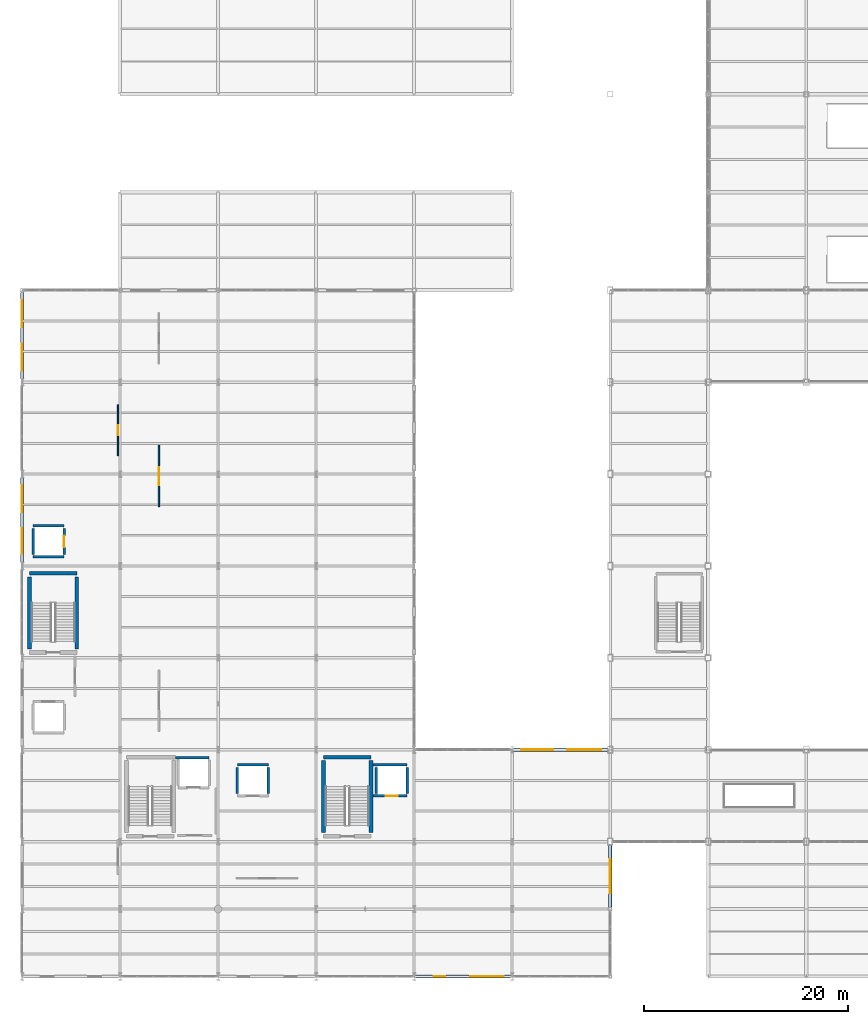
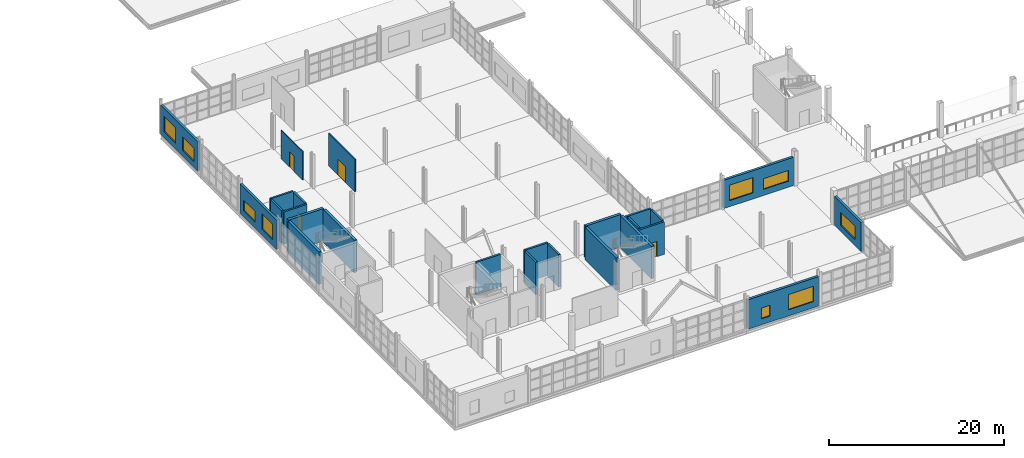
# One storey, part 107 of 120: 25 walls, 9 windows, 4 doors, 13 openings.
"""IFC4 building model written with IfcOpenShell, lengths in metres."""

from ifc_helpers import new_model, si_unit, direction, frame, frame_2d, origin, place, context, subcontext, project, spatial, rectangle, extrude, material, layer, layer_set, type_object, element, fill, save


model = new_model("IFC4")

# Units and contexts
model_context = context("Model", 3, precision=1e-05, world=origin(), true_north=direction((0.0, 1.0)))
body_context = subcontext(model_context, "Body", "Model", "MODEL_VIEW")
ifc_project = project(units=[si_unit("LENGTHUNIT", "METRE"), si_unit("AREAUNIT", "SQUARE_METRE"), si_unit("VOLUMEUNIT", "CUBIC_METRE"), si_unit("PLANEANGLEUNIT", "RADIAN"), si_unit("MASSUNIT", "GRAM", prefix="KILO")], contexts=[model_context])

# Site, building, storey
site_placement = place(None, origin())
site = spatial("IfcSite", under=ifc_project, at=site_placement, CompositionType="ELEMENT")
building_placement = place(site_placement, origin())
building = spatial("IfcBuilding", under=site, at=building_placement, Name="Zarnetskaya Central Station", CompositionType="ELEMENT")
storey_placement = place(building_placement, frame((0.0, 0.0, 5.39990234375)))
storey = spatial("IfcBuildingStorey", under=building, at=storey_placement, Name="L01", CompositionType="ELEMENT", Elevation=5.39990234375)

# Wall, opening, door
ifc_material_1 = material(Name="Gypsum acoustic partition")
ifc_layer_1 = layer(ifc_material_1, 0.1298828125, Name="Gypsum acoustic partition")
ifc_layer_set_1 = layer_set([ifc_layer_1], Name="Gypsum acoustic partition")
wall_type_1 = type_object("IfcWallType", Name="PART-OFF-130", PredefinedType="PARTITIONING", material=ifc_layer_set_1)
wall_1_placement = place(storey_placement, frame((13.39990234375, 46.0, 0.0), z_axis=(0.0, 0.0, 1.0), x_axis=(0.0, 1.0, 0.0)))
wall_1 = element("IfcWall", 1, at=wall_1_placement, inside=storey, type_object=wall_type_1, Name="Interior partition IPRT-L01-0415", PredefinedType="PARTITIONING", context=body_context, shape_type="SweptSolid", body=[
    extrude(rectangle(XDim=6.0, YDim=0.1298828125, at=frame_2d((3.0, 0.0))), origin(), (0.0, 0.0, 1.0), 4.5400390625),
])
opening_1_placement = place(wall_1_placement, frame((2.110107421875, 0.0, 0.0)))
opening_1 = element("IfcOpeningElement", 2, at=opening_1_placement, cuts=wall_1, Name="Opening DR-21", PredefinedType="OPENING", context=body_context, shape_type="SweptSolid", body=[
    extrude(rectangle(XDim=1.780029296875, YDim=2.239990234375, at=frame_2d((0.89013671875, 1.1201171875))), frame((0.0, 0.074951171875, 0.0), z_axis=(0.0, -1.0, 0.0), x_axis=(1.0, 0.0, 0.0)), (0.0, 0.0, 1.0), 0.14990234375),
])
ifc_material_2 = material(Name="Anodised aluminium", Category="aluminium")
door_type_1 = type_object("IfcDoorType", Name="DR-INT-18", OperationType="NOTDEFINED", PredefinedType="DOOR", material=ifc_material_2)
door_1_placement = place(opening_1_placement, origin())
door_1 = element("IfcDoor", 3, at=door_1_placement, inside=storey, type_object=door_type_1, Name="Passenger Assistance and Duty Supervisor Offices door", OperationType="SINGLE_SWING_LEFT", OverallHeight=2.239990234375, OverallWidth=1.780029296875, PredefinedType="DOOR", context=body_context, shape_type="SweptSolid", body=[
    extrude(rectangle(XDim=1.780029296875, YDim=2.239990234375, at=frame_2d((0.89013671875, 1.1201171875))), frame((0.0, 0.02490234375, 0.0), z_axis=(0.0, -1.0, 0.0), x_axis=(1.0, 0.0, 0.0)), (0.0, 0.0, 1.0), 0.050048828125),
])
fill(opening_1, door_1)

ifc_material_3 = material(Name="Gypsum moisture partition")
ifc_layer_2 = layer(ifc_material_3, 0.114990234375, Name="Gypsum moisture partition")
ifc_layer_set_2 = layer_set([ifc_layer_2], Name="Gypsum moisture partition")
wall_type_2 = type_object("IfcWallType", Name="PART-WC-115", PredefinedType="PARTITIONING", material=ifc_layer_set_2)
wall_2_placement = place(storey_placement, frame((9.39990234375, 56.0, 0.0), z_axis=(0.0, 0.0, 1.0), x_axis=(0.0, -1.0, 0.0)))
wall_2 = element("IfcWall", 4, at=wall_2_placement, inside=storey, type_object=wall_type_2, Name="Interior partition IPRT-L01-0417", PredefinedType="PARTITIONING", context=body_context, shape_type="SweptSolid", body=[
    extrude(rectangle(XDim=5.0, YDim=0.114990234375, at=frame_2d((2.5, 0.0))), origin(), (0.0, 0.0, 1.0), 3.960205078125),
])
opening_2_placement = place(wall_2_placement, frame((2.014892578125, 0.0, 0.0)))
opening_2 = element("IfcOpeningElement", 5, at=opening_2_placement, cuts=wall_2, Name="Opening DR-01", PredefinedType="OPENING", context=body_context, shape_type="SweptSolid", body=[
    extrude(rectangle(XDim=0.969970703125, YDim=2.1201171875, at=frame_2d((0.48486328125, 1.06005859375))), frame((0.0, 0.0673828125, 0.0), z_axis=(0.0, -1.0, 0.0), x_axis=(1.0, 0.0, 0.0)), (0.0, 0.0, 1.0), 0.135009765625),
])
door_type_2 = type_object("IfcDoorType", Name="DR-INT-20", OperationType="NOTDEFINED", PredefinedType="DOOR", material=ifc_material_2)
door_2_placement = place(opening_2_placement, origin())
door_2 = element("IfcDoor", 6, at=door_2_placement, inside=storey, type_object=door_type_2, Name="Accessible WC L01 door", OperationType="SINGLE_SWING_LEFT", OverallHeight=2.1201171875, OverallWidth=0.969970703125, PredefinedType="DOOR", context=body_context, shape_type="SweptSolid", body=[
    extrude(rectangle(XDim=0.969970703125, YDim=2.1201171875, at=frame_2d((0.48486328125, 1.06005859375))), frame((0.0, 0.02490234375, 0.0), z_axis=(0.0, -1.0, 0.0), x_axis=(1.0, 0.0, 0.0)), (0.0, 0.0, 1.0), 0.050048828125),
])
fill(opening_2, door_2)

# Walls
ifc_material_4 = material(Name="Concrete C35/45", Category="concrete")
ifc_layer_3 = layer(ifc_material_4, 0.35009765625, Name="Concrete C35/45", Category="concrete")
ifc_layer_set_3 = layer_set([ifc_layer_3], Name="Concrete C35/45")
wall_type_3 = type_object("IfcWallType", Name="WALL-CORE-350", PredefinedType="SHEAR", material=ifc_layer_set_3)
wall_3_placement = place(storey_placement, frame((0.72509765625, 39.47509765625, 0.0), z_axis=(0.0, 0.0, 1.0), x_axis=(1.0, 0.0, 0.0)))
element("IfcWall", 7, at=wall_3_placement, inside=storey, type_object=wall_type_3, Name="Core shear wall WSTR-L01-0226", PredefinedType="SHEAR", context=body_context, shape_type="SweptSolid", body=[
    extrude(rectangle(XDim=4.64990234375, YDim=0.35009765625, at=frame_2d((2.324951171875, 0.0))), origin(), (0.0, 0.0, 1.0), 4.5400390625),
])
for number, where, z_axis, x_axis, name in (
    (8, (0.72509765625, 32.074951171875, 0.0), (0.0, 0.0, 1.0), (0.0, 1.0, 0.0), "Core shear wall WSTR-L01-0227"),
    (9, (5.375, 39.125, 0.0), (0.0, 0.0, 1.0), (0.0, -1.0, 0.0), "Core shear wall WSTR-L01-0228"),
):
    element("IfcWall", number, at=place(storey_placement, frame(where, z_axis=z_axis, x_axis=x_axis)), inside=storey, type_object=wall_type_3, Name=name, PredefinedType="SHEAR", context=body_context, shape_type="SweptSolid", body=[
        extrude(rectangle(XDim=7.050048828125, YDim=0.35009765625, at=frame_2d((3.52490234375, 0.0))), origin(), (0.0, 0.0, 1.0), 4.5400390625),
    ])
wall_4_placement = place(storey_placement, frame((29.52490234375, 21.47509765625, 0.0), z_axis=(0.0, 0.0, 1.0), x_axis=(1.0, 0.0, 0.0)))
element("IfcWall", 10, at=wall_4_placement, inside=storey, type_object=wall_type_3, Name="Core shear wall WSTR-L01-0254", PredefinedType="SHEAR", context=body_context, shape_type="SweptSolid", body=[
    extrude(rectangle(XDim=4.650146484375, YDim=0.35009765625, at=frame_2d((2.3251953125, 0.0))), origin(), (0.0, 0.0, 1.0), 4.5400390625),
])
for number, where, z_axis, x_axis, name in (
    (11, (29.52490234375, 14.074951171875, 0.0), (0.0, 0.0, 1.0), (0.0, 1.0, 0.0), "Core shear wall WSTR-L01-0255"),
    (12, (34.175048828125, 21.125, 0.0), (0.0, 0.0, 1.0), (0.0, -1.0, 0.0), "Core shear wall WSTR-L01-0256"),
):
    element("IfcWall", number, at=place(storey_placement, frame(where, z_axis=z_axis, x_axis=x_axis)), inside=storey, type_object=wall_type_3, Name=name, PredefinedType="SHEAR", context=body_context, shape_type="SweptSolid", body=[
        extrude(rectangle(XDim=7.050048828125, YDim=0.35009765625, at=frame_2d((3.52490234375, 0.0))), origin(), (0.0, 0.0, 1.0), 4.5400390625),
    ])

# Wall, openings, windows
ifc_material_5 = material(Name="Precast concrete C40/50", Category="concrete")
ifc_layer_4 = layer(ifc_material_5, 0.320068359375, Name="Precast concrete C40/50", Category="concrete")
ifc_layer_set_4 = layer_set([ifc_layer_4], Name="Precast concrete C40/50")
wall_type_4 = type_object("IfcWallType", Name="WALL-EXT-320", PredefinedType="SOLIDWALL", material=ifc_layer_set_4)
wall_5_placement = place(storey_placement, frame((0.0, 40.550048828125, 0.0), z_axis=(0.0, 0.0, 1.0), x_axis=(0.0, 1.0, 0.0)))
wall_5 = element("IfcWall", 13, at=wall_5_placement, inside=storey, type_object=wall_type_4, Name="Exterior precast wall EW-L01-0-406-0-488", PredefinedType="SOLIDWALL", context=body_context, shape_type="SweptSolid", body=[
    extrude(rectangle(XDim=8.300048828125, YDim=0.320068359375, at=frame_2d((4.14990234375, 0.0))), origin(), (0.0, 0.0, 1.0), 4.110107421875),
])
opening_3_placement = place(wall_5_placement, frame((0.824951171875, 0.0, 0.85009765625)))
opening_3 = element("IfcOpeningElement", 14, at=opening_3_placement, cuts=wall_5, Name="Opening WN-46", PredefinedType="OPENING", context=body_context, shape_type="SweptSolid", body=[
    extrude(rectangle(XDim=2.5, YDim=2.14990234375, at=frame_2d((1.25, 1.074951171875))), frame((0.0, 0.169921875, 0.0), z_axis=(0.0, -1.0, 0.0), x_axis=(1.0, 0.0, 0.0)), (0.0, 0.0, 1.0), 0.340087890625),
])
opening_4_placement = place(wall_5_placement, frame((4.89990234375, 0.0, 0.85009765625)))
opening_4 = element("IfcOpeningElement", 15, at=opening_4_placement, cuts=wall_5, Name="Opening WN-43", PredefinedType="OPENING", context=body_context, shape_type="SweptSolid", body=[
    extrude(rectangle(XDim=2.64990234375, YDim=1.5, at=frame_2d((1.324951171875, 0.75))), frame((0.0, 0.169921875, 0.0), z_axis=(0.0, -1.0, 0.0), x_axis=(1.0, 0.0, 0.0)), (0.0, 0.0, 1.0), 0.340087890625),
])
ifc_material_6 = material(Name="Low-E insulated glass", Category="glass")
window_type_1 = type_object("IfcWindowType", Name="WIN-39", PartitioningType="DOUBLE_PANEL_VERTICAL", PredefinedType="WINDOW", material=ifc_material_6)
window_1_placement = place(opening_3_placement, origin())
window_1 = element("IfcWindow", 16, at=window_1_placement, inside=storey, type_object=window_type_1, Name="Facade window L01-0039", OverallHeight=2.14990234375, OverallWidth=2.5, PartitioningType="SINGLE_PANEL", PredefinedType="WINDOW", context=body_context, shape_type="SweptSolid", body=[
    extrude(rectangle(XDim=2.5, YDim=2.14990234375, at=frame_2d((1.25, 1.074951171875))), frame((0.0, 0.030029296875, 0.0), z_axis=(0.0, -1.0, 0.0), x_axis=(1.0, 0.0, 0.0)), (0.0, 0.0, 1.0), 0.06005859375),
])
fill(opening_3, window_1)
window_type_2 = type_object("IfcWindowType", Name="WIN-40", PartitioningType="DOUBLE_PANEL_VERTICAL", PredefinedType="WINDOW", material=ifc_material_6)
window_2_placement = place(opening_4_placement, origin())
window_2 = element("IfcWindow", 17, at=window_2_placement, inside=storey, type_object=window_type_2, Name="Facade window L01-0040", OverallHeight=1.5, OverallWidth=2.64990234375, PartitioningType="SINGLE_PANEL", PredefinedType="WINDOW", context=body_context, shape_type="SweptSolid", body=[
    extrude(rectangle(XDim=2.64990234375, YDim=1.5, at=frame_2d((1.324951171875, 0.75))), frame((0.0, 0.030029296875, 0.0), z_axis=(0.0, -1.0, 0.0), x_axis=(1.0, 0.0, 0.0)), (0.0, 0.0, 1.0), 0.06005859375),
])
fill(opening_4, window_2)

wall_6_placement = place(storey_placement, frame((0.0, 58.550048828125, 0.0), z_axis=(0.0, 0.0, 1.0), x_axis=(0.0, 1.0, 0.0)))
wall_6 = element("IfcWall", 18, at=wall_6_placement, inside=storey, type_object=wall_type_4, Name="Exterior precast wall EW-L01-0-586-0-670", PredefinedType="SOLIDWALL", context=body_context, shape_type="SweptSolid", body=[
    extrude(rectangle(XDim=8.44677734375, YDim=0.320068359375, at=frame_2d((4.223388671875, 0.0))), origin(), (0.0, 0.0, 1.0), 4.110107421875),
])
opening_5_placement = place(wall_6_placement, frame((0.78662109375, 0.0, 0.85009765625)))
opening_5 = element("IfcOpeningElement", 19, at=opening_5_placement, cuts=wall_6, Name="Opening WN-45", PredefinedType="OPENING", context=body_context, shape_type="SweptSolid", body=[
    extrude(rectangle(XDim=2.64990234375, YDim=1.85009765625, at=frame_2d((1.324951171875, 0.925048828125))), frame((0.0, 0.169921875, 0.0), z_axis=(0.0, -1.0, 0.0), x_axis=(1.0, 0.0, 0.0)), (0.0, 0.0, 1.0), 0.340087890625),
])
opening_6_placement = place(wall_6_placement, frame((5.010009765625, 0.0, 0.85009765625)))
opening_6 = element("IfcOpeningElement", 20, at=opening_6_placement, cuts=wall_6, Name="Opening WN-32", PredefinedType="OPENING", context=body_context, shape_type="SweptSolid", body=[
    extrude(rectangle(XDim=2.64990234375, YDim=2.14990234375, at=frame_2d((1.324951171875, 1.074951171875))), frame((0.0, 0.169921875, 0.0), z_axis=(0.0, -1.0, 0.0), x_axis=(1.0, 0.0, 0.0)), (0.0, 0.0, 1.0), 0.340087890625),
])
window_type_3 = type_object("IfcWindowType", Name="WIN-41", PartitioningType="DOUBLE_PANEL_VERTICAL", PredefinedType="WINDOW", material=ifc_material_6)
window_3_placement = place(opening_5_placement, origin())
window_3 = element("IfcWindow", 21, at=window_3_placement, inside=storey, type_object=window_type_3, Name="Facade window L01-0041", OverallHeight=1.85009765625, OverallWidth=2.64990234375, PartitioningType="SINGLE_PANEL", PredefinedType="WINDOW", context=body_context, shape_type="SweptSolid", body=[
    extrude(rectangle(XDim=2.64990234375, YDim=1.85009765625, at=frame_2d((1.324951171875, 0.925048828125))), frame((0.0, 0.030029296875, 0.0), z_axis=(0.0, -1.0, 0.0), x_axis=(1.0, 0.0, 0.0)), (0.0, 0.0, 1.0), 0.06005859375),
])
fill(opening_5, window_3)
window_type_4 = type_object("IfcWindowType", Name="WIN-42", PartitioningType="DOUBLE_PANEL_VERTICAL", PredefinedType="WINDOW", material=ifc_material_6)
window_4_placement = place(opening_6_placement, origin())
window_4 = element("IfcWindow", 22, at=window_4_placement, inside=storey, type_object=window_type_4, Name="Facade window L01-0042", OverallHeight=2.14990234375, OverallWidth=2.64990234375, PartitioningType="SINGLE_PANEL", PredefinedType="WINDOW", context=body_context, shape_type="SweptSolid", body=[
    extrude(rectangle(XDim=2.64990234375, YDim=2.14990234375, at=frame_2d((1.324951171875, 1.074951171875))), frame((0.0, 0.030029296875, 0.0), z_axis=(0.0, -1.0, 0.0), x_axis=(1.0, 0.0, 0.0)), (0.0, 0.0, 1.0), 0.06005859375),
])
fill(opening_6, window_4)

wall_7_placement = place(storey_placement, frame((48.14990234375, 22.199951171875, 0.0), z_axis=(0.0, 0.0, 1.0), x_axis=(1.0, 0.0, 0.0)))
wall_7 = element("IfcWall", 23, at=wall_7_placement, inside=storey, type_object=wall_type_4, Name="Exterior precast wall EW-L01-482-222-574-222", PredefinedType="SOLIDWALL", context=body_context, shape_type="SweptSolid", body=[
    extrude(rectangle(XDim=9.2001953125, YDim=0.320068359375, at=frame_2d((4.60009765625, 0.0))), origin(), (0.0, 0.0, 1.0), 3.9501953125),
])
opening_7_placement = place(wall_7_placement, frame((0.75, 0.0, 0.85009765625)))
opening_7 = element("IfcOpeningElement", 24, at=opening_7_placement, cuts=wall_7, Name="Opening WN-50", PredefinedType="OPENING", context=body_context, shape_type="SweptSolid", body=[
    extrude(rectangle(XDim=3.10009765625, YDim=2.14990234375, at=frame_2d((1.550048828125, 1.074951171875))), frame((0.0, 0.169921875, 0.0), z_axis=(0.0, -1.0, 0.0), x_axis=(1.0, 0.0, 0.0)), (0.0, 0.0, 1.0), 0.340087890625),
])
opening_8_placement = place(wall_7_placement, frame((5.25, 0.0, 0.85009765625)))
opening_8 = element("IfcOpeningElement", 25, at=opening_8_placement, cuts=wall_7, Name="Opening WN-38", PredefinedType="OPENING", context=body_context, shape_type="SweptSolid", body=[
    extrude(rectangle(XDim=3.300048828125, YDim=1.5, at=frame_2d((1.64990234375, 0.75))), frame((0.0, 0.169921875, 0.0), z_axis=(0.0, -1.0, 0.0), x_axis=(1.0, 0.0, 0.0)), (0.0, 0.0, 1.0), 0.340087890625),
])
window_type_5 = type_object("IfcWindowType", Name="WIN-51", PartitioningType="DOUBLE_PANEL_VERTICAL", PredefinedType="WINDOW", material=ifc_material_6)
window_5_placement = place(opening_7_placement, origin())
window_5 = element("IfcWindow", 26, at=window_5_placement, inside=storey, type_object=window_type_5, Name="Facade window L01-0051", OverallHeight=2.14990234375, OverallWidth=3.10009765625, PartitioningType="SINGLE_PANEL", PredefinedType="WINDOW", context=body_context, shape_type="SweptSolid", body=[
    extrude(rectangle(XDim=3.10009765625, YDim=2.14990234375, at=frame_2d((1.550048828125, 1.074951171875))), frame((0.0, 0.030029296875, 0.0), z_axis=(0.0, -1.0, 0.0), x_axis=(1.0, 0.0, 0.0)), (0.0, 0.0, 1.0), 0.06005859375),
])
fill(opening_7, window_5)
window_type_6 = type_object("IfcWindowType", Name="WIN-52", PartitioningType="DOUBLE_PANEL_VERTICAL", PredefinedType="WINDOW", material=ifc_material_6)
window_6_placement = place(opening_8_placement, origin())
window_6 = element("IfcWindow", 27, at=window_6_placement, inside=storey, type_object=window_type_6, Name="Facade window L01-0052", OverallHeight=1.5, OverallWidth=3.300048828125, PartitioningType="SINGLE_PANEL", PredefinedType="WINDOW", context=body_context, shape_type="SweptSolid", body=[
    extrude(rectangle(XDim=3.300048828125, YDim=1.5, at=frame_2d((1.64990234375, 0.75))), frame((0.0, 0.030029296875, 0.0), z_axis=(0.0, -1.0, 0.0), x_axis=(1.0, 0.0, 0.0)), (0.0, 0.0, 1.0), 0.06005859375),
])
fill(opening_8, window_6)

# Wall, opening, window
wall_8_placement = place(storey_placement, frame((57.60009765625, 12.85009765625, 0.0), z_axis=(0.0, 0.0, 1.0), x_axis=(0.0, -1.0, 0.0)))
wall_8 = element("IfcWall", 28, at=wall_8_placement, inside=storey, type_object=wall_type_4, Name="Exterior precast wall EW-L01-576-128-576-68", PredefinedType="SOLIDWALL", context=body_context, shape_type="SweptSolid", body=[
    extrude(rectangle(XDim=6.072265625, YDim=0.320068359375, at=frame_2d((3.0361328125, 0.0))), origin(), (0.0, 0.0, 1.0), 4.050048828125),
])
opening_9_placement = place(wall_8_placement, frame((1.385986328125, 0.0, 0.85009765625)))
opening_9 = element("IfcOpeningElement", 29, at=opening_9_placement, cuts=wall_8, Name="Opening WN-29", PredefinedType="OPENING", context=body_context, shape_type="SweptSolid", body=[
    extrude(rectangle(XDim=3.300048828125, YDim=1.85009765625, at=frame_2d((1.64990234375, 0.925048828125))), frame((0.0, 0.169921875, 0.0), z_axis=(0.0, -1.0, 0.0), x_axis=(1.0, 0.0, 0.0)), (0.0, 0.0, 1.0), 0.340087890625),
])
window_type_7 = type_object("IfcWindowType", Name="WIN-53", PartitioningType="DOUBLE_PANEL_VERTICAL", PredefinedType="WINDOW", material=ifc_material_6)
window_7_placement = place(opening_9_placement, origin())
window_7 = element("IfcWindow", 30, at=window_7_placement, inside=storey, type_object=window_type_7, Name="Facade window L01-0053", OverallHeight=1.85009765625, OverallWidth=3.300048828125, PartitioningType="SINGLE_PANEL", PredefinedType="WINDOW", context=body_context, shape_type="SweptSolid", body=[
    extrude(rectangle(XDim=3.300048828125, YDim=1.85009765625, at=frame_2d((1.64990234375, 0.925048828125))), frame((0.0, 0.030029296875, 0.0), z_axis=(0.0, -1.0, 0.0), x_axis=(1.0, 0.0, 0.0)), (0.0, 0.0, 1.0), 0.06005859375),
])
fill(opening_9, window_7)

# Wall, openings, windows
wall_9_placement = place(storey_placement, frame((47.85009765625, 0.0, 0.0), z_axis=(0.0, 0.0, 1.0), x_axis=(-1.0, 0.0, 0.0)))
wall_9 = element("IfcWall", 31, at=wall_9_placement, inside=storey, type_object=wall_type_4, Name="Exterior precast wall EW-L01-478-0-386-0", PredefinedType="SOLIDWALL", context=body_context, shape_type="SweptSolid", body=[
    extrude(rectangle(XDim=9.300048828125, YDim=0.320068359375, at=frame_2d((4.64990234375, 0.0))), origin(), (0.0, 0.0, 1.0), 4.110107421875),
])
opening_10_placement = place(wall_9_placement, frame((0.675048828125, 0.0, 0.85009765625)))
opening_10 = element("IfcOpeningElement", 32, at=opening_10_placement, cuts=wall_9, Name="Opening WN-24", PredefinedType="OPENING", context=body_context, shape_type="SweptSolid", body=[
    extrude(rectangle(XDim=3.300048828125, YDim=2.14990234375, at=frame_2d((1.64990234375, 1.074951171875))), frame((0.0, 0.169921875, 0.0), z_axis=(0.0, -1.0, 0.0), x_axis=(1.0, 0.0, 0.0)), (0.0, 0.0, 1.0), 0.340087890625),
])
opening_11_placement = place(wall_9_placement, frame((6.39990234375, 0.0, 0.85009765625)))
opening_11 = element("IfcOpeningElement", 33, at=opening_11_placement, cuts=wall_9, Name="Opening WN-41", PredefinedType="OPENING", context=body_context, shape_type="SweptSolid", body=[
    extrude(rectangle(XDim=1.14990234375, YDim=1.5, at=frame_2d((0.574951171875, 0.75))), frame((0.0, 0.169921875, 0.0), z_axis=(0.0, -1.0, 0.0), x_axis=(1.0, 0.0, 0.0)), (0.0, 0.0, 1.0), 0.340087890625),
])
window_type_8 = type_object("IfcWindowType", Name="WIN-01", PartitioningType="SINGLE_PANEL", PredefinedType="WINDOW", material=ifc_material_6)
window_8_placement = place(opening_11_placement, origin())
window_8 = element("IfcWindow", 34, at=window_8_placement, inside=storey, type_object=window_type_8, Name="Facade window L01-0055", OverallHeight=1.5, OverallWidth=1.14990234375, PartitioningType="SINGLE_PANEL", PredefinedType="WINDOW", context=body_context, shape_type="SweptSolid", body=[
    extrude(rectangle(XDim=1.14990234375, YDim=1.5, at=frame_2d((0.574951171875, 0.75))), frame((0.0, 0.030029296875, 0.0), z_axis=(0.0, -1.0, 0.0), x_axis=(1.0, 0.0, 0.0)), (0.0, 0.0, 1.0), 0.06005859375),
])
fill(opening_11, window_8)
window_type_9 = type_object("IfcWindowType", Name="WIN-54", PartitioningType="DOUBLE_PANEL_VERTICAL", PredefinedType="WINDOW", material=ifc_material_6)
window_9_placement = place(opening_10_placement, origin())
window_9 = element("IfcWindow", 35, at=window_9_placement, inside=storey, type_object=window_type_9, Name="Facade window L01-0054", OverallHeight=2.14990234375, OverallWidth=3.300048828125, PartitioningType="SINGLE_PANEL", PredefinedType="WINDOW", context=body_context, shape_type="SweptSolid", body=[
    extrude(rectangle(XDim=3.300048828125, YDim=2.14990234375, at=frame_2d((1.64990234375, 1.074951171875))), frame((0.0, 0.030029296875, 0.0), z_axis=(0.0, -1.0, 0.0), x_axis=(1.0, 0.0, 0.0)), (0.0, 0.0, 1.0), 0.06005859375),
])
fill(opening_10, window_9)

# Walls
ifc_layer_5 = layer(ifc_material_4, 0.239990234375, Name="Concrete C35/45", Category="concrete")
ifc_layer_set_5 = layer_set([ifc_layer_5], Name="Concrete C35/45")
wall_type_5 = type_object("IfcWallType", Name="WALL-SHFT-240", PredefinedType="SHEAR", material=ifc_layer_set_5)
wall_10_placement = place(storey_placement, frame((15.050048828125, 21.419921875, 0.0), z_axis=(0.0, 0.0, 1.0), x_axis=(1.0, 0.0, 0.0)))
element("IfcWall", 36, at=wall_10_placement, inside=storey, type_object=wall_type_5, Name="Core shear wall WSHF-L01-0010", PredefinedType="SHEAR", context=body_context, shape_type="SweptSolid", body=[
    extrude(rectangle(XDim=3.27001953125, YDim=0.239990234375, at=frame_2d((1.635009765625, 0.0))), origin(), (0.0, 0.0, 1.0), 4.5400390625),
])
wall_11_placement = place(storey_placement, frame((21.080078125, 20.719970703125, 0.0), z_axis=(0.0, 0.0, 1.0), x_axis=(1.0, 0.0, 0.0)))
element("IfcWall", 37, at=wall_11_placement, inside=storey, type_object=wall_type_5, Name="Core shear wall WSHF-L01-0038", PredefinedType="SHEAR", context=body_context, shape_type="SweptSolid", body=[
    extrude(rectangle(XDim=3.0400390625, YDim=0.239990234375, at=frame_2d((1.52001953125, 0.0))), origin(), (0.0, 0.0, 1.0), 4.5400390625),
])
for number, where, z_axis, x_axis, name in (
    (38, (21.080078125, 17.919921875, 0.0), (0.0, 0.0, 1.0), (0.0, 1.0, 0.0), "Core shear wall WSHF-L01-0039"),
    (39, (24.1201171875, 20.47998046875, 0.0), (0.0, 0.0, 1.0), (0.0, -1.0, 0.0), "Core shear wall WSHF-L01-0040"),
):
    element("IfcWall", number, at=place(storey_placement, frame(where, z_axis=z_axis, x_axis=x_axis)), inside=storey, type_object=wall_type_5, Name=name, PredefinedType="SHEAR", context=body_context, shape_type="SweptSolid", body=[
        extrude(rectangle(XDim=2.56005859375, YDim=0.239990234375, at=frame_2d((1.280029296875, 0.0))), origin(), (0.0, 0.0, 1.0), 4.5400390625),
    ])
for number, where, z_axis, x_axis, name in (
    (40, (4.1201171875, 41.080078125, 0.0), (0.0, 0.0, 1.0), (-1.0, 0.0, 0.0), "Core shear wall WSHF-L01-0093"),
    (41, (1.080078125, 44.1201171875, 0.0), (0.0, 0.0, 1.0), (1.0, 0.0, 0.0), "Core shear wall WSHF-L01-0094"),
):
    element("IfcWall", number, at=place(storey_placement, frame(where, z_axis=z_axis, x_axis=x_axis)), inside=storey, type_object=wall_type_5, Name=name, PredefinedType="SHEAR", context=body_context, shape_type="SweptSolid", body=[
        extrude(rectangle(XDim=3.0400390625, YDim=0.239990234375, at=frame_2d((1.52001953125, 0.0))), origin(), (0.0, 0.0, 1.0), 4.5400390625),
    ])
wall_12_placement = place(storey_placement, frame((1.080078125, 41.320068359375, 0.0), z_axis=(0.0, 0.0, 1.0), x_axis=(0.0, 1.0, 0.0)))
element("IfcWall", 42, at=wall_12_placement, inside=storey, type_object=wall_type_5, Name="Core shear wall WSHF-L01-0095", PredefinedType="SHEAR", context=body_context, shape_type="SweptSolid", body=[
    extrude(rectangle(XDim=2.559814453125, YDim=0.239990234375, at=frame_2d((1.27978515625, 0.0))), origin(), (0.0, 0.0, 1.0), 4.5400390625),
])

# Wall, opening, door
wall_13_placement = place(storey_placement, frame((4.1201171875, 43.8798828125, 0.0), z_axis=(0.0, 0.0, 1.0), x_axis=(0.0, -1.0, 0.0)))
wall_13 = element("IfcWall", 43, at=wall_13_placement, inside=storey, type_object=wall_type_5, Name="Core shear wall WSHF-L01-0096", PredefinedType="SHEAR", context=body_context, shape_type="SweptSolid", body=[
    extrude(rectangle(XDim=2.559814453125, YDim=0.239990234375, at=frame_2d((1.27978515625, 0.0))), origin(), (0.0, 0.0, 1.0), 4.5400390625),
])
opening_12_placement = place(wall_13_placement, frame((0.699951171875, 0.0, 0.0)))
opening_12 = element("IfcOpeningElement", 44, at=opening_12_placement, cuts=wall_13, Name="Opening DR-24", PredefinedType="OPENING", context=body_context, shape_type="SweptSolid", body=[
    extrude(rectangle(XDim=1.159912109375, YDim=2.14990234375, at=frame_2d((0.580078125, 1.074951171875))), frame((0.0, 0.1298828125, 0.0), z_axis=(0.0, -1.0, 0.0), x_axis=(1.0, 0.0, 0.0)), (0.0, 0.0, 1.0), 0.260009765625),
])
door_type_3 = type_object("IfcDoorType", Name="DR-LIFT-PAX", OperationType="NOTDEFINED", PredefinedType="DOOR", material=ifc_material_2)
door_3_placement = place(opening_12_placement, origin())
door_3 = element("IfcDoor", 45, at=door_3_placement, inside=storey, type_object=door_type_3, Name="Lift landing sliding door LP-02 L01", OperationType="DOUBLE_DOOR_SLIDING", OverallHeight=2.14990234375, OverallWidth=1.159912109375, PredefinedType="DOOR", context=body_context, shape_type="SweptSolid", body=[
    extrude(rectangle(XDim=1.159912109375, YDim=2.14990234375, at=frame_2d((0.580078125, 1.074951171875))), frame((0.0, 0.02490234375, 0.0), z_axis=(0.0, -1.0, 0.0), x_axis=(1.0, 0.0, 0.0)), (0.0, 0.0, 1.0), 0.050048828125),
])
fill(opening_12, door_3)

wall_14_placement = place(storey_placement, frame((37.719970703125, 17.679931640625, 0.0), z_axis=(0.0, 0.0, 1.0), x_axis=(-1.0, 0.0, 0.0)))
wall_14 = element("IfcWall", 46, at=wall_14_placement, inside=storey, type_object=wall_type_5, Name="Core shear wall WSHF-L01-0121", PredefinedType="SHEAR", context=body_context, shape_type="SweptSolid", body=[
    extrude(rectangle(XDim=3.369873046875, YDim=0.239990234375, at=frame_2d((1.68505859375, 0.0))), origin(), (0.0, 0.0, 1.0), 4.5400390625),
])
opening_13_placement = place(wall_14_placement, frame((0.93994140625, 0.0, 0.0)))
opening_13 = element("IfcOpeningElement", 47, at=opening_13_placement, cuts=wall_14, Name="Opening DR-24", PredefinedType="OPENING", context=body_context, shape_type="SweptSolid", body=[
    extrude(rectangle(XDim=1.159912109375, YDim=2.14990234375, at=frame_2d((0.580078125, 1.074951171875))), frame((0.0, 0.1298828125, 0.0), z_axis=(0.0, -1.0, 0.0), x_axis=(1.0, 0.0, 0.0)), (0.0, 0.0, 1.0), 0.260009765625),
])
door_4_placement = place(opening_13_placement, origin())
door_4 = element("IfcDoor", 48, at=door_4_placement, inside=storey, type_object=door_type_3, Name="Lift landing sliding door LP-03 L01", OperationType="DOUBLE_DOOR_SLIDING", OverallHeight=2.14990234375, OverallWidth=1.159912109375, PredefinedType="DOOR", context=body_context, shape_type="SweptSolid", body=[
    extrude(rectangle(XDim=1.159912109375, YDim=2.14990234375, at=frame_2d((0.580078125, 1.074951171875))), frame((0.0, 0.02490234375, 0.0), z_axis=(0.0, -1.0, 0.0), x_axis=(1.0, 0.0, 0.0)), (0.0, 0.0, 1.0), 0.050048828125),
])
fill(opening_13, door_4)

# Walls
wall_15_placement = place(storey_placement, frame((34.35009765625, 20.719970703125, 0.0), z_axis=(0.0, 0.0, 1.0), x_axis=(1.0, 0.0, 0.0)))
element("IfcWall", 49, at=wall_15_placement, inside=storey, type_object=wall_type_5, Name="Core shear wall WSHF-L01-0122", PredefinedType="SHEAR", context=body_context, shape_type="SweptSolid", body=[
    extrude(rectangle(XDim=3.369873046875, YDim=0.239990234375, at=frame_2d((1.68505859375, 0.0))), origin(), (0.0, 0.0, 1.0), 4.5400390625),
])
for number, where, z_axis, x_axis, name in (
    (50, (34.679931640625, 17.919921875, 0.0), (0.0, 0.0, 1.0), (0.0, 1.0, 0.0), "Core shear wall WSHF-L01-0123"),
    (51, (37.719970703125, 20.47998046875, 0.0), (0.0, 0.0, 1.0), (0.0, -1.0, 0.0), "Core shear wall WSHF-L01-0124"),
):
    element("IfcWall", number, at=place(storey_placement, frame(where, z_axis=z_axis, x_axis=x_axis)), inside=storey, type_object=wall_type_5, Name=name, PredefinedType="SHEAR", context=body_context, shape_type="SweptSolid", body=[
        extrude(rectangle(XDim=2.56005859375, YDim=0.239990234375, at=frame_2d((1.280029296875, 0.0))), origin(), (0.0, 0.0, 1.0), 4.5400390625),
    ])

save(model, "model.ifc")
